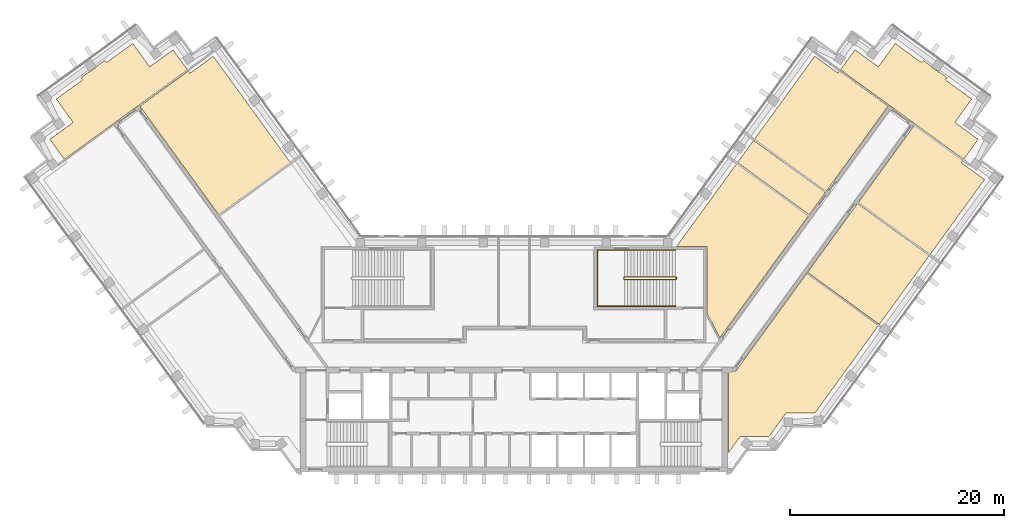
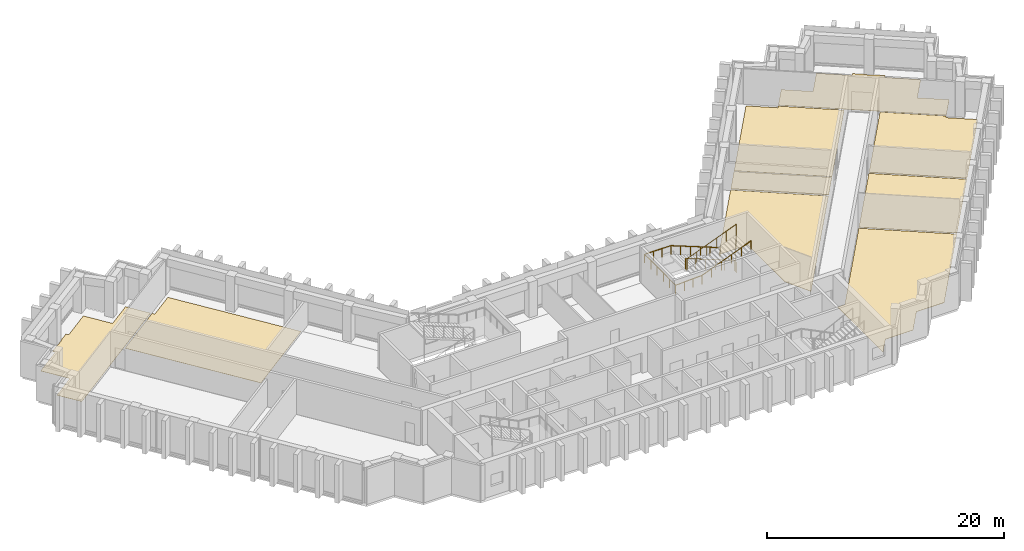
# One storey, part 11 of 11: 9 coverings, 2 railings.
"""IFC4 building model written with IfcOpenShell, lengths in metres."""

from ifc_helpers import new_model, si_unit, direction, frame, origin, origin_2d, place, context, subcontext, project, spatial, polyline, circle, outline, extrude, material, layer, layer_set, type_object, element, save


model = new_model("IFC4")

# Units and contexts
model_context = context("Model", 3, precision=1e-05, world=origin(), true_north=direction((0.0, 1.0)))
body_context = subcontext(model_context, "Body", "Model", "MODEL_VIEW")
ifc_project = project(units=[si_unit("LENGTHUNIT", "METRE"), si_unit("AREAUNIT", "SQUARE_METRE"), si_unit("VOLUMEUNIT", "CUBIC_METRE"), si_unit("PLANEANGLEUNIT", "RADIAN"), si_unit("MASSUNIT", "GRAM", prefix="KILO")], contexts=[model_context])

# Site, building, storey
site_placement = place(None, origin())
site = spatial("IfcSite", under=ifc_project, at=site_placement, CompositionType="ELEMENT")
building_placement = place(site_placement, origin())
building = spatial("IfcBuilding", under=site, at=building_placement, Name="Quipu Civic Tower", CompositionType="ELEMENT")
storey_placement = place(building_placement, frame((0.0, 0.0, 144.0)))
storey = spatial("IfcBuildingStorey", under=building, at=storey_placement, Name="L33", CompositionType="ELEMENT", Elevation=144.0)

# Coverings
ifc_material_1 = material(Name="Carpet tile on raised access floor")
ifc_layer_1 = layer(ifc_material_1, 0.02001953125)
ifc_layer_set_1 = layer_set([ifc_layer_1], Name="Carpet tile on raised access floor")
covering_type_1 = type_object("IfcCoveringType", Name="Carpet tile floor finish 20", PredefinedType="FLOORING", material=ifc_layer_set_1)
covering_1_placement = place(storey_placement, origin())
element("IfcCovering", 1, at=covering_1_placement, inside=storey, type_object=covering_type_1, Name="Carpet tile floor finish 20", PredefinedType="FLOORING", context=body_context, shape_type="SweptSolid", body=[
    extrude(outline(polyline([(-43.47802734375, 20.18505859375), (-41.2939453125, 21.77294921875), (-42.881103515625, 23.95703125), (-40.424072265625, 25.740966796875), (-40.574951171875, 25.952880859375), (-39.81298828125, 26.507080078125), (-39.80908203125, 26.5029296875), (-39.804931640625, 26.5009765625), (-39.801025390625, 26.498046875), (-39.7958984375, 26.49609375), (-39.7919921875, 26.4951171875), (-39.787109375, 26.493896484375), (-39.781982421875, 26.492919921875), (-39.777099609375, 26.492919921875), (-39.77197265625, 26.493896484375), (-39.76806640625, 26.4951171875), (-39.762939453125, 26.49609375), (-39.758056640625, 26.498046875), (-39.75390625, 26.5), (-39.75, 26.5029296875), (-39.10302734375, 26.972900390625), (-39.09912109375, 26.97607421875), (-39.094970703125, 26.97998046875), (-39.092041015625, 26.98291015625), (-39.089111328125, 26.987060546875), (-39.0869140625, 26.991943359375), (-39.0849609375, 26.99609375), (-39.083984375, 27.0009765625), (-39.0830078125, 27.006103515625), (-39.08203125, 27.010986328125), (-39.08203125, 27.014892578125), (-39.08203125, 27.02001953125), (-39.0830078125, 27.02490234375), (-39.0849609375, 27.030029296875), (-39.0869140625, 27.033935546875), (-38.324951171875, 27.587890625), (-38.169921875, 27.37890625), (-35.712890625, 29.1640625), (-34.126953125, 26.97998046875), (-31.94189453125, 28.56591796875), (-30.583984375, 26.697021484375), (-42.12109375, 18.31591796875), (-43.47802734375, 20.18505859375)])), origin(), (0.0, 0.0, 1.0), 0.02001953125),
])
covering_2_placement = place(storey_placement, origin())
element("IfcCovering", 2, at=covering_2_placement, inside=storey, type_object=covering_type_1, Name="Carpet tile floor finish 20", PredefinedType="FLOORING", context=body_context, shape_type="SweptSolid", body=[
    extrude(outline(polyline([(15.238037109375, 10.169921875), (20.85498046875, 17.90087890625), (27.577880859375, 13.01708984375), (19.27197265625, 1.583984375), (18.070068359375, 3.94189453125), (18.070068359375, 10.1689453125), (15.238037109375, 10.169921875)])), origin(), (0.0, 0.0, 1.0), 0.02001953125),
])
covering_3_placement = place(storey_placement, origin())
element("IfcCovering", 3, at=covering_3_placement, inside=storey, type_object=covering_type_1, Name="Carpet tile floor finish 20", PredefinedType="FLOORING", context=body_context, shape_type="SweptSolid", body=[
    extrude(outline(polyline([(22.52490234375, 20.197998046875), (28.169921875, 27.968994140625), (30.35302734375, 26.383056640625), (30.5009765625, 26.583984375), (35.0400390625, 23.2880859375), (29.248046875, 15.31396484375), (22.52490234375, 20.197998046875)])), origin(), (0.0, 0.0, 1.0), 0.02001953125),
])
covering_4_placement = place(storey_placement, origin())
element("IfcCovering", 4, at=covering_4_placement, inside=storey, type_object=covering_type_1, Name="Carpet tile floor finish 20", PredefinedType="FLOORING", context=body_context, shape_type="SweptSolid", body=[
    extrude(outline(polyline([(20.070068359375, -9.195068359375), (20.070068359375, -1.52001953125), (20.77490234375, -1.51904296875), (27.416015625, 7.62109375), (34.138916015625, 2.738037109375), (28.181884765625, -5.4609375), (25.48193359375, -5.4619140625), (23.89501953125, -7.64599609375), (21.196044921875, -7.64599609375), (20.070068359375, -9.195068359375)])), origin(), (0.0, 0.0, 1.0), 0.02001953125),
])
covering_5_placement = place(storey_placement, origin())
element("IfcCovering", 5, at=covering_5_placement, inside=storey, type_object=covering_type_1, Name="Carpet tile floor finish 20", PredefinedType="FLOORING", context=body_context, shape_type="SweptSolid", body=[
    extrude(outline(polyline([(-35.0400390625, 23.2880859375), (-30.5009765625, 26.583984375), (-30.35302734375, 26.383056640625), (-28.169921875, 27.968994140625), (-20.93798828125, 18.013916015625), (-27.660888671875, 13.1298828125), (-35.0400390625, 23.2880859375)])), origin(), (0.0, 0.0, 1.0), 0.02001953125),
])
covering_6_placement = place(storey_placement, origin())
element("IfcCovering", 6, at=covering_6_placement, inside=storey, type_object=covering_type_1, Name="Carpet tile floor finish 20", PredefinedType="FLOORING", context=body_context, shape_type="SweptSolid", body=[
    extrude(outline(polyline([(30.583984375, 26.697021484375), (31.94189453125, 28.56591796875), (34.126953125, 26.97998046875), (35.712890625, 29.1640625), (38.169921875, 27.37890625), (38.324951171875, 27.587890625), (39.0869140625, 27.033935546875), (39.0849609375, 27.030029296875), (39.0830078125, 27.02490234375), (39.08203125, 27.02001953125), (39.08203125, 27.014892578125), (39.08203125, 27.010986328125), (39.0830078125, 27.006103515625), (39.083984375, 27.0009765625), (39.0849609375, 26.99609375), (39.0869140625, 26.991943359375), (39.089111328125, 26.987060546875), (39.092041015625, 26.98291015625), (39.094970703125, 26.97998046875), (39.09912109375, 26.97607421875), (39.10302734375, 26.972900390625), (39.75, 26.5029296875), (39.75390625, 26.5), (39.758056640625, 26.498046875), (39.762939453125, 26.49609375), (39.76806640625, 26.4951171875), (39.77197265625, 26.493896484375), (39.777099609375, 26.492919921875), (39.781982421875, 26.492919921875), (39.787109375, 26.493896484375), (39.7919921875, 26.4951171875), (39.7958984375, 26.49609375), (39.801025390625, 26.498046875), (39.804931640625, 26.5009765625), (39.80908203125, 26.5029296875), (39.81298828125, 26.507080078125), (40.574951171875, 25.952880859375), (40.424072265625, 25.740966796875), (42.881103515625, 23.95703125), (41.2939453125, 21.77294921875), (43.47802734375, 20.18505859375), (42.12109375, 18.31591796875), (30.583984375, 26.697021484375)])), origin(), (0.0, 0.0, 1.0), 0.02001953125),
])
ifc_material_2 = material(Name="Ceramic floor tile")
ifc_layer_2 = layer(ifc_material_2, 0.030029296875)
ifc_layer_set_2 = layer_set([ifc_layer_2], Name="Ceramic floor tile")
covering_type_2 = type_object("IfcCoveringType", Name="Ceramic tile floor finish 30", PredefinedType="FLOORING", material=ifc_layer_set_2)
covering_7_placement = place(storey_placement, origin())
element("IfcCovering", 7, at=covering_7_placement, inside=storey, type_object=covering_type_2, Name="Ceramic tile floor finish 30", PredefinedType="FLOORING", context=body_context, shape_type="SweptSolid", body=[
    extrude(outline(polyline([(27.4990234375, 7.73388671875), (32.177001953125, 14.174072265625), (38.89990234375, 9.291015625), (34.221923828125, 2.85107421875), (27.4990234375, 7.73388671875)])), origin(), (0.0, 0.0, 1.0), 0.030029296875),
])
ifc_material_3 = material(Name="Sealed cement screed")
ifc_layer_3 = layer(ifc_material_3, 0.050048828125)
ifc_layer_set_3 = layer_set([ifc_layer_3], Name="Sealed cement screed")
covering_type_3 = type_object("IfcCoveringType", Name="Sealed screed floor finish 50", PredefinedType="FLOORING", material=ifc_layer_set_3)
covering_8_placement = place(storey_placement, origin())
element("IfcCovering", 8, at=covering_8_placement, inside=storey, type_object=covering_type_3, Name="Sealed screed floor finish 50", PredefinedType="FLOORING", context=body_context, shape_type="SweptSolid", body=[
    extrude(outline(polyline([(20.93798828125, 18.013916015625), (22.44189453125, 20.0849609375), (29.1650390625, 15.200927734375), (27.660888671875, 13.1298828125), (20.93798828125, 18.013916015625)])), origin(), (0.0, 0.0, 1.0), 0.050048828125),
])
covering_9_placement = place(storey_placement, origin())
element("IfcCovering", 9, at=covering_9_placement, inside=storey, type_object=covering_type_3, Name="Sealed screed floor finish 50", PredefinedType="FLOORING", context=body_context, shape_type="SweptSolid", body=[
    extrude(outline(polyline([(32.260009765625, 14.287109375), (37.4990234375, 21.5), (42.0380859375, 18.201904296875), (41.89208984375, 17.9990234375), (44.074951171875, 16.4140625), (38.98291015625, 9.404052734375), (32.260009765625, 14.287109375)])), origin(), (0.0, 0.0, 1.0), 0.050048828125),
])

# Railings
ifc_material_4 = material(Name="Stainless steel", Category="steel")
railing_type_1 = type_object("IfcRailingType", Name="Stair guard 1100", PredefinedType="GUARDRAIL", material=ifc_material_4)
railing_1_placement = place(storey_placement, frame((15.14990234375, 7.300048828125, 0.11767578125)))
element("IfcRailing", 10, at=railing_1_placement, inside=storey, type_object=railing_type_1, Name="Stair 4 guard", PredefinedType="GUARDRAIL", context=body_context, shape_type="SweptSolid", body=[
    extrude(circle(Radius=0.02392578125, at=origin_2d()), frame((0.0, 0.0, 1.076171875), z_axis=(-0.930970042603, 0.0, 0.365095576219), x_axis=(0.0, -1.0, 0.0)), (0.0, 0.0, 1.0), 5.15576171875),
    extrude(circle(Radius=0.02392578125, at=origin_2d()), frame((-4.7998046875, 0.0, 2.95849609375), z_axis=(-0.707106781187, -0.707106781187, 0.0), x_axis=(0.707106781187, -0.707106781187, 0.0)), (0.0, 0.0, 1.0), 0.07080078125),
    extrude(circle(Radius=0.02392578125, at=origin_2d()), frame((-4.849853515625, -0.050048828125, 2.95849609375), z_axis=(0.0, -1.0, 0.0), x_axis=(1.0, 0.0, 0.0)), (0.0, 0.0, 1.0), 0.14990234375),
    extrude(circle(Radius=0.02392578125, at=origin_2d()), frame((-4.849853515625, -0.199951171875, 2.95849609375), z_axis=(0.364463019033, -0.364463019033, 0.856932561824), x_axis=(0.707106781187, 0.707106781187, 0.0)), (0.0, 0.0, 1.0), 0.13720703125),
    extrude(circle(Radius=0.02392578125, at=origin_2d()), frame((-4.7998046875, -0.25, 3.076171875), z_axis=(0.930970042603, 0.0, 0.365095576219), x_axis=(0.0, 1.0, 0.0)), (0.0, 0.0, 1.0), 5.15576171875),
    extrude(circle(Radius=0.02392578125, at=origin_2d()), frame((0.0, -0.25, 4.95849609375), z_axis=(0.012495627992, 0.049921557685, -0.998674970829), x_axis=(-0.970072785993, 0.242814311512, 0.0)), (0.0, 0.0, 1.0), 4.00537109375),
    extrude(circle(Radius=0.02392578125, at=origin_2d()), frame((0.050048828125, -0.050048828125, 0.95849609375), z_axis=(0.0, -1.0, 0.0), x_axis=(1.0, 0.0, 0.0)), (0.0, 0.0, 1.0), 0.14990234375),
    extrude(circle(Radius=0.02099609375, at=origin_2d()), origin(), (0.0, 0.0, 1.0), 1.052001953125),
    extrude(circle(Radius=0.02099609375, at=origin_2d()), frame((-0.9599609375, 0.0, 0.37646484375)), (0.0, 0.0, 1.0), 1.052001953125),
    extrude(circle(Radius=0.02099609375, at=origin_2d()), frame((-1.919921875, 0.0, 0.7529296875)), (0.0, 0.0, 1.0), 1.052001953125),
    extrude(circle(Radius=0.02099609375, at=origin_2d()), frame((-2.8798828125, 0.0, 1.12939453125)), (0.0, 0.0, 1.0), 1.052001953125),
    extrude(circle(Radius=0.02099609375, at=origin_2d()), frame((-3.83984375, 0.0, 1.505859375)), (0.0, 0.0, 1.0), 1.052001953125),
    extrude(circle(Radius=0.02099609375, at=origin_2d()), frame((-4.7998046875, 0.0, 1.88232421875)), (0.0, 0.0, 1.0), 1.052001953125),
    extrude(circle(Radius=0.02099609375, at=origin_2d()), frame((-4.849853515625, -0.050048828125, 1.88232421875)), (0.0, 0.0, 1.0), 1.052001953125),
    extrude(circle(Radius=0.02099609375, at=origin_2d()), frame((-4.849853515625, -0.199951171875, 1.88232421875)), (0.0, 0.0, 1.0), 1.052001953125),
    extrude(circle(Radius=0.02099609375, at=origin_2d()), frame((-4.7998046875, -0.25, 2.0)), (0.0, 0.0, 1.0), 1.052001953125),
    extrude(circle(Radius=0.02099609375, at=origin_2d()), frame((-3.83984375, -0.25, 2.37646484375)), (0.0, 0.0, 1.0), 1.052001953125),
    extrude(circle(Radius=0.02099609375, at=origin_2d()), frame((-2.8798828125, -0.25, 2.7529296875)), (0.0, 0.0, 1.0), 1.052001953125),
    extrude(circle(Radius=0.02099609375, at=origin_2d()), frame((-1.919921875, -0.25, 3.12939453125)), (0.0, 0.0, 1.0), 1.052001953125),
    extrude(circle(Radius=0.02099609375, at=origin_2d()), frame((-0.9599609375, -0.25, 3.505859375)), (0.0, 0.0, 1.0), 1.052001953125),
    extrude(circle(Radius=0.02099609375, at=origin_2d()), frame((0.0, -0.25, 3.88232421875)), (0.0, 0.0, 1.0), 1.052001953125),
    extrude(circle(Radius=0.02099609375, at=origin_2d()), frame((0.012451171875, -0.199951171875, 2.88232421875)), (0.0, 0.0, 1.0), 1.052001953125),
    extrude(circle(Radius=0.02099609375, at=origin_2d()), frame((0.02490234375, -0.14990234375, 1.88232421875)), (0.0, 0.0, 1.0), 1.052001953125),
    extrude(circle(Radius=0.02099609375, at=origin_2d()), frame((0.03759765625, -0.10009765625, 0.88232421875)), (0.0, 0.0, 1.0), 1.052001953125),
    extrude(circle(Radius=0.02099609375, at=origin_2d()), frame((0.050048828125, -0.050048828125, -0.11767578125)), (0.0, 0.0, 1.0), 1.052001953125),
    extrude(circle(Radius=0.02099609375, at=origin_2d()), frame((0.050048828125, -0.199951171875, -0.11767578125)), (0.0, 0.0, 1.0), 1.052001953125),
])
ifc_material_5 = material(Name="Stainless steel", Category="steel")
railing_type_2 = type_object("IfcRailingType", Name="Stair handrail", PredefinedType="HANDRAIL", material=ifc_material_5)
railing_2_placement = place(storey_placement, frame((15.14990234375, 9.800048828125, 0.11767578125)))
element("IfcRailing", 11, at=railing_2_placement, inside=storey, type_object=railing_type_2, Name="Stair 4 handrail", PredefinedType="HANDRAIL", context=body_context, shape_type="SweptSolid", body=[
    extrude(circle(Radius=0.02392578125, at=origin_2d()), frame((0.0, 0.0, 0.8759765625), z_axis=(-0.930970042603, 0.0, 0.365095576219), x_axis=(0.0, -1.0, 0.0)), (0.0, 0.0, 1.0), 5.15576171875),
    extrude(circle(Radius=0.02392578125, at=origin_2d()), frame((-4.7998046875, 0.0, 2.75830078125), z_axis=(-1.0, 0.0, 0.0), x_axis=(0.0, -1.0, 0.0)), (0.0, 0.0, 1.0), 2.550048828125),
    extrude(circle(Radius=0.02392578125, at=origin_2d()), frame((-7.349853515625, 0.0, 2.75830078125), z_axis=(0.0, -1.0, 0.0), x_axis=(1.0, 0.0, 0.0)), (0.0, 0.0, 1.0), 5.25),
    extrude(circle(Radius=0.02392578125, at=origin_2d()), frame((-7.349853515625, -5.25, 2.75830078125), z_axis=(0.998936948642, 0.0, 0.04609742549), x_axis=(0.0, 1.0, 0.0)), (0.0, 0.0, 1.0), 2.552734375),
    extrude(circle(Radius=0.02392578125, at=origin_2d()), frame((-4.7998046875, -5.25, 2.8759765625), z_axis=(0.930970042603, 0.0, 0.365095576219), x_axis=(0.0, 1.0, 0.0)), (0.0, 0.0, 1.0), 5.15576171875),
    extrude(circle(Radius=0.02099609375, at=origin_2d()), origin(), (0.0, 0.0, 1.0), 0.851806640625),
    extrude(circle(Radius=0.02099609375, at=origin_2d()), frame((-0.9599609375, 0.0, 0.37646484375)), (0.0, 0.0, 1.0), 0.851806640625),
    extrude(circle(Radius=0.02099609375, at=origin_2d()), frame((-1.919921875, 0.0, 0.7529296875)), (0.0, 0.0, 1.0), 0.851806640625),
    extrude(circle(Radius=0.02099609375, at=origin_2d()), frame((-2.8798828125, 0.0, 1.12939453125)), (0.0, 0.0, 1.0), 0.851806640625),
    extrude(circle(Radius=0.02099609375, at=origin_2d()), frame((-3.83984375, 0.0, 1.505859375)), (0.0, 0.0, 1.0), 0.851806640625),
    extrude(circle(Radius=0.02099609375, at=origin_2d()), frame((-4.7998046875, 0.0, 1.88232421875)), (0.0, 0.0, 1.0), 0.851806640625),
    extrude(circle(Radius=0.02099609375, at=origin_2d()), frame((-5.64990234375, 0.0, 1.88232421875)), (0.0, 0.0, 1.0), 0.851806640625),
    extrude(circle(Radius=0.02099609375, at=origin_2d()), frame((-6.499755859375, 0.0, 1.88232421875)), (0.0, 0.0, 1.0), 0.851806640625),
    extrude(circle(Radius=0.02099609375, at=origin_2d()), frame((-7.349853515625, 0.0, 1.88232421875)), (0.0, 0.0, 1.0), 0.851806640625),
    extrude(circle(Radius=0.02099609375, at=origin_2d()), frame((-7.349853515625, -1.050048828125, 1.88232421875)), (0.0, 0.0, 1.0), 0.851806640625),
    extrude(circle(Radius=0.02099609375, at=origin_2d()), frame((-7.349853515625, -2.10009765625, 1.88232421875)), (0.0, 0.0, 1.0), 0.851806640625),
    extrude(circle(Radius=0.02099609375, at=origin_2d()), frame((-7.349853515625, -3.14990234375, 1.88232421875)), (0.0, 0.0, 1.0), 0.851806640625),
    extrude(circle(Radius=0.02099609375, at=origin_2d()), frame((-7.349853515625, -4.199951171875, 1.88232421875)), (0.0, 0.0, 1.0), 0.851806640625),
    extrude(circle(Radius=0.02099609375, at=origin_2d()), frame((-7.349853515625, -5.25, 1.88232421875)), (0.0, 0.0, 1.0), 0.851806640625),
    extrude(circle(Radius=0.02099609375, at=origin_2d()), frame((-6.499755859375, -5.25, 1.921630859375)), (0.0, 0.0, 1.0), 0.851806640625),
    extrude(circle(Radius=0.02099609375, at=origin_2d()), frame((-5.64990234375, -5.25, 1.960693359375)), (0.0, 0.0, 1.0), 0.851806640625),
    extrude(circle(Radius=0.02099609375, at=origin_2d()), frame((-4.7998046875, -5.25, 2.0)), (0.0, 0.0, 1.0), 0.851806640625),
    extrude(circle(Radius=0.02099609375, at=origin_2d()), frame((-3.83984375, -5.25, 2.37646484375)), (0.0, 0.0, 1.0), 0.851806640625),
    extrude(circle(Radius=0.02099609375, at=origin_2d()), frame((-2.8798828125, -5.25, 2.7529296875)), (0.0, 0.0, 1.0), 0.851806640625),
    extrude(circle(Radius=0.02099609375, at=origin_2d()), frame((-1.919921875, -5.25, 3.12939453125)), (0.0, 0.0, 1.0), 0.851806640625),
    extrude(circle(Radius=0.02099609375, at=origin_2d()), frame((-0.9599609375, -5.25, 3.505859375)), (0.0, 0.0, 1.0), 0.851806640625),
    extrude(circle(Radius=0.02099609375, at=origin_2d()), frame((0.0, -5.25, 3.88232421875)), (0.0, 0.0, 1.0), 0.851806640625),
])

save(model, "model.ifc")
